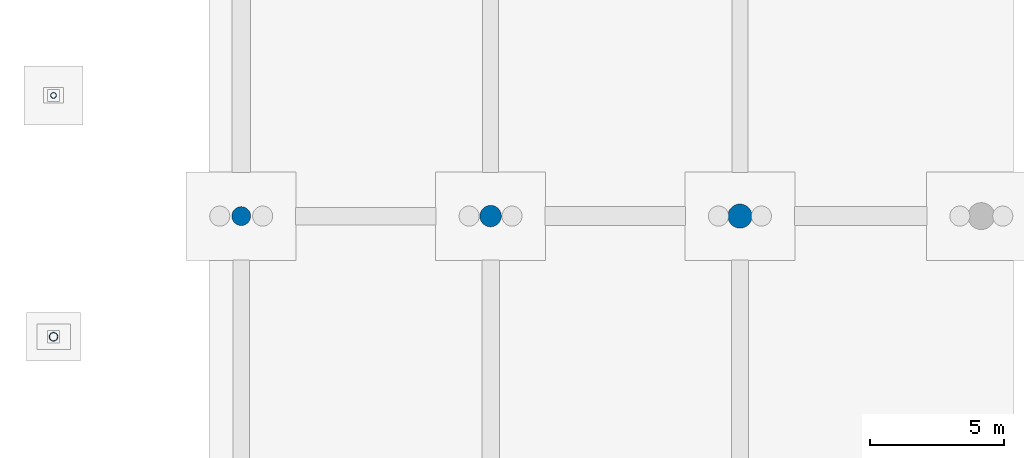
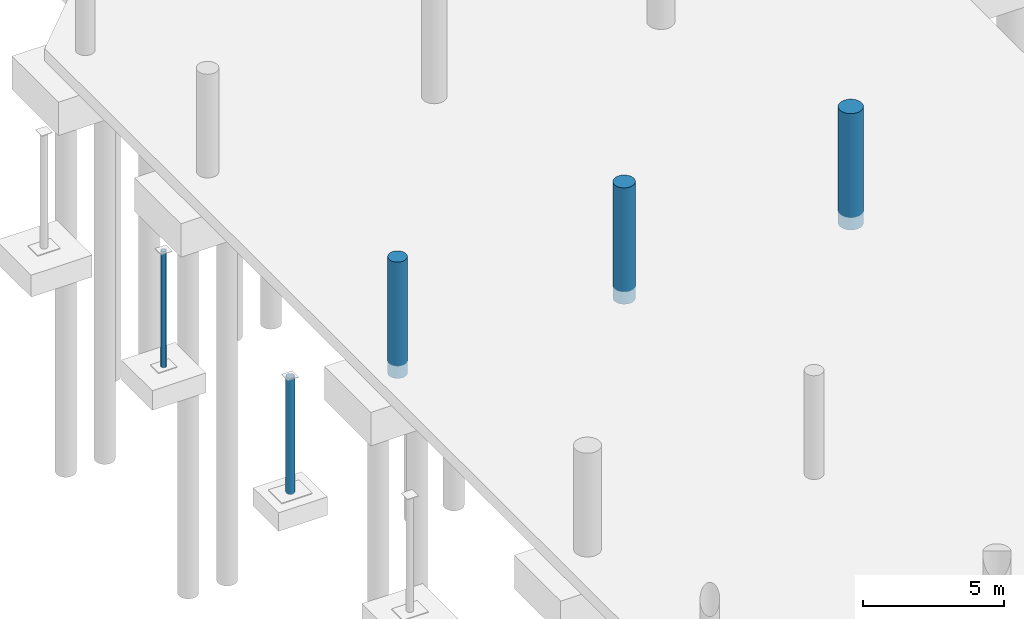
# One storey, part 16 of 55: 5 columns.
"""IFC4 building model written with IfcOpenShell, lengths in metres."""

from ifc_helpers import new_model, si_unit, direction, frame, origin, origin_2d, place, context, subcontext, project, spatial, circle, hollow_circle, extrude, material, material_profile, profile_set, type_object, element, save


model = new_model("IFC4")

# Units and contexts
model_context = context("Model", 3, precision=1e-05, world=origin(), true_north=direction((0.0, 1.0)))
body_context = subcontext(model_context, "Body", "Model", "MODEL_VIEW")
ifc_project = project(units=[si_unit("LENGTHUNIT", "METRE"), si_unit("AREAUNIT", "SQUARE_METRE"), si_unit("VOLUMEUNIT", "CUBIC_METRE"), si_unit("PLANEANGLEUNIT", "RADIAN"), si_unit("MASSUNIT", "GRAM", prefix="KILO")], contexts=[model_context])

# Site, building, storey
site_placement = place(None, origin())
site = spatial("IfcSite", under=ifc_project, at=site_placement, CompositionType="ELEMENT")
building_placement = place(site_placement, origin())
building = spatial("IfcBuilding", under=site, at=building_placement, Name="Sohan Crest Arena", CompositionType="ELEMENT")
storey_placement = place(building_placement, frame((0.0, 0.0, -4.5)))
storey = spatial("IfcBuildingStorey", under=building, at=storey_placement, Name="B1", CompositionType="ELEMENT", Elevation=-4.5)

# Columns
ifc_material_1 = material(Name="Concrete C40/50", Category="concrete")
ifc_material_profile_1 = material_profile(ifc_material_1, circle(Radius=0.35009765625, at=origin_2d()), Name="RC D700")
ifc_profile_set_1 = profile_set([ifc_material_profile_1], Name="Concrete C40/50")
column_type_1 = type_object("IfcColumnType", Name="STR-COL-C13", PredefinedType="COLUMN", material=ifc_profile_set_1)
column_1_placement = place(storey_placement, frame((15.199951171875, 78.0, -0.550048828125), z_axis=(0.0, 0.0, 1.0), x_axis=(1.0, 0.0, 0.0)))
element("IfcColumn", 1, at=column_1_placement, inside=storey, type_object=column_type_1, Name="Structural column COL-V3C-13-B1", PredefinedType="COLUMN", context=body_context, shape_type="SweptSolid", body=[
    extrude(circle(Radius=0.35009765625, at=origin_2d()), origin(), (0.0, 0.0, 1.0), 5.050048828125),
])
ifc_material_profile_2 = material_profile(ifc_material_1, circle(Radius=0.39990234375, at=origin_2d()), Name="RC D800")
ifc_profile_set_2 = profile_set([ifc_material_profile_2], Name="Concrete C40/50")
column_type_2 = type_object("IfcColumnType", Name="STR-COL-C14", PredefinedType="COLUMN", material=ifc_profile_set_2)
column_2_placement = place(storey_placement, frame((24.5, 78.0, -0.550048828125), z_axis=(0.0, 0.0, 1.0), x_axis=(1.0, 0.0, 0.0)))
element("IfcColumn", 2, at=column_2_placement, inside=storey, type_object=column_type_2, Name="Structural column COL-V3C-23-B1", PredefinedType="COLUMN", context=body_context, shape_type="SweptSolid", body=[
    extrude(circle(Radius=0.39990234375, at=origin_2d()), origin(), (0.0, 0.0, 1.0), 5.050048828125),
])
ifc_material_profile_3 = material_profile(ifc_material_1, circle(Radius=0.449951171875, at=origin_2d()), Name="RC D900")
ifc_profile_set_3 = profile_set([ifc_material_profile_3], Name="Concrete C40/50")
column_type_3 = type_object("IfcColumnType", Name="STR-COL-C15", PredefinedType="COLUMN", material=ifc_profile_set_3)
column_3_placement = place(storey_placement, frame((33.800048828125, 78.0, -0.550048828125), z_axis=(0.0, 0.0, 1.0), x_axis=(1.0, 0.0, 0.0)))
element("IfcColumn", 3, at=column_3_placement, inside=storey, type_object=column_type_3, Name="Structural column COL-V3C-33-B1", PredefinedType="COLUMN", context=body_context, shape_type="SweptSolid", body=[
    extrude(circle(Radius=0.449951171875, at=origin_2d()), origin(), (0.0, 0.0, 1.0), 5.050048828125),
])
ifc_material_2 = material(Name="Steel S355", Category="steel")
ifc_material_profile_4 = material_profile(ifc_material_2, hollow_circle(Radius=0.109619140625, WallThickness=0.010009765625, at=origin_2d()), Name="CHS 219.1x10")
ifc_profile_set_4 = profile_set([ifc_material_profile_4], Name="Steel S355")
column_type_4 = type_object("IfcColumnType", Name="STR-COL-C24", PredefinedType="COLUMN", material=ifc_profile_set_4)
column_4_placement = place(storey_placement, frame((8.199951171875, 82.5, -0.550048828125), z_axis=(0.0, 0.0, 1.0), x_axis=(1.0, 0.0, 0.0)))
element("IfcColumn", 4, at=column_4_placement, inside=storey, type_object=column_type_4, Name="Structural column COL-V3P-03-B1", PredefinedType="COLUMN", context=body_context, shape_type="SweptSolid", body=[
    extrude(hollow_circle(Radius=0.109619140625, WallThickness=0.010009765625, at=origin_2d()), origin(), (0.0, 0.0, 1.0), 5.050048828125),
])
ifc_material_profile_5 = material_profile(ifc_material_2, hollow_circle(Radius=0.161865234375, WallThickness=0.012451171875, at=origin_2d()), Name="CHS 323.9x12.5")
ifc_profile_set_5 = profile_set([ifc_material_profile_5], Name="Steel S355")
column_type_5 = type_object("IfcColumnType", Name="STR-COL-C26", PredefinedType="COLUMN", material=ifc_profile_set_5)
column_5_placement = place(storey_placement, frame((8.199951171875, 73.5, -0.550048828125), z_axis=(0.0, 0.0, 1.0), x_axis=(1.0, 0.0, 0.0)))
element("IfcColumn", 5, at=column_5_placement, inside=storey, type_object=column_type_5, Name="Structural column COL-V3P-02-B1", PredefinedType="COLUMN", context=body_context, shape_type="SweptSolid", body=[
    extrude(hollow_circle(Radius=0.161865234375, WallThickness=0.012451171875, at=origin_2d()), origin(), (0.0, 0.0, 1.0), 5.050048828125),
])

save(model, "model.ifc")
